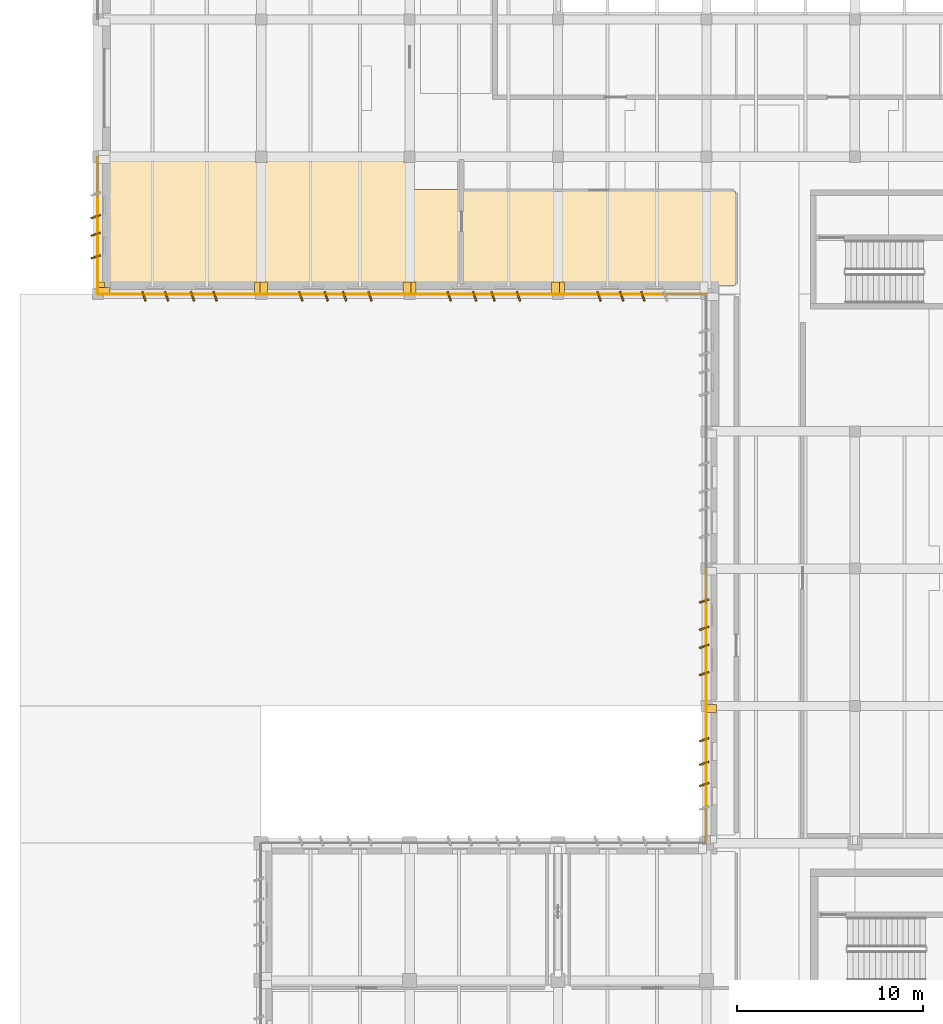
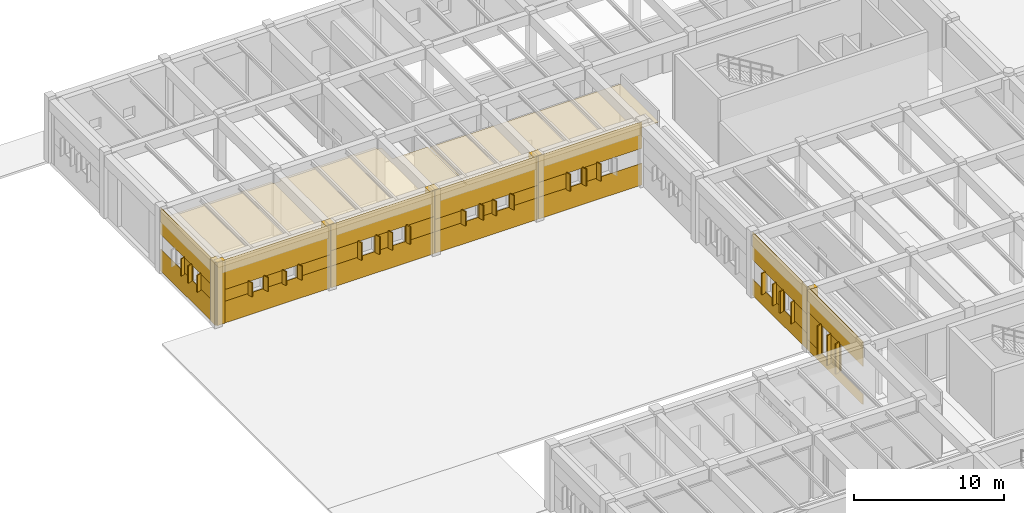
# One storey, part 42 of 56: 67 coverings.
"""IFC4 building model written with IfcOpenShell, lengths in metres."""

from ifc_helpers import new_model, si_unit, direction, frame, frame_2d, origin, origin_2d, place, context, subcontext, project, spatial, polyline, rectangle, outline, extrude, material, layer, layer_set, type_object, element, save


model = new_model("IFC4")

# Units and contexts
model_context = context("Model", 3, precision=1e-05, world=origin(), true_north=direction((0.0, 1.0)))
body_context = subcontext(model_context, "Body", "Model", "MODEL_VIEW")
ifc_project = project(units=[si_unit("LENGTHUNIT", "METRE"), si_unit("AREAUNIT", "SQUARE_METRE"), si_unit("VOLUMEUNIT", "CUBIC_METRE"), si_unit("PLANEANGLEUNIT", "RADIAN"), si_unit("MASSUNIT", "GRAM", prefix="KILO")], contexts=[model_context])

# Site, building, storey
site_placement = place(None, origin())
site = spatial("IfcSite", under=ifc_project, at=site_placement, CompositionType="ELEMENT")
building_placement = place(site_placement, origin())
building = spatial("IfcBuilding", under=site, at=building_placement, Name="Valkorina Park Police Headquarters", CompositionType="ELEMENT")
storey_placement = place(building_placement, origin())
storey = spatial("IfcBuildingStorey", under=building, at=storey_placement, Name="L01", CompositionType="ELEMENT", Elevation=0.0)

# Coverings
ifc_material_1 = material(Name="Acoustic mineral board")
ifc_layer_1 = layer(ifc_material_1, 0.02490234375)
ifc_layer_set_1 = layer_set([ifc_layer_1], Name="Acoustic mineral board")
covering_type_1 = type_object("IfcCoveringType", Name="COV-CEILING-ACOUST", PredefinedType="CEILING", material=ifc_layer_set_1)
covering_1_placement = place(storey_placement, frame((0.0, 0.0, 4.264892578125)))
element("IfcCovering", 1, at=covering_1_placement, inside=storey, type_object=covering_type_1, Name="Custody Holding Cell Block A Acoustic Suspended Ceiling", PredefinedType="CEILING", context=body_context, shape_type="SweptSolid", body=[
    extrude(outline(polyline([(19.48779296875, 94.439697265625), (19.47998046875, 94.43994140625), (16.840087890625, 94.43994140625), (16.840087890625, 95.860107421875), (16.839599609375, 95.867919921875), (16.83837890625, 95.87548828125), (16.836669921875, 95.88330078125), (16.833984375, 95.890625), (16.83056640625, 95.897705078125), (16.8291015625, 95.89990234375), (16.5, 95.89990234375), (16.5, 96.149169921875), (16.497802734375, 96.150634765625), (16.490478515625, 96.15380859375), (16.483154296875, 96.156494140625), (16.4755859375, 96.158447265625), (16.4677734375, 96.15966796875), (16.4599609375, 96.159912109375), (9.139892578125, 96.159912109375), (9.132080078125, 96.15966796875), (9.12451171875, 96.158447265625), (9.11669921875, 96.156494140625), (9.109375, 96.15380859375), (9.102294921875, 96.150634765625), (9.10009765625, 96.149169921875), (9.10009765625, 95.89990234375), (8.5, 95.89990234375), (8.5, 96.149169921875), (8.497802734375, 96.150634765625), (8.490478515625, 96.15380859375), (8.483154296875, 96.156494140625), (8.4755859375, 96.158447265625), (8.4677734375, 96.15966796875), (8.4599609375, 96.159912109375), (0.52001953125, 96.159912109375), (0.51220703125, 96.15966796875), (0.50439453125, 96.158447265625), (0.496826171875, 96.156494140625), (0.489501953125, 96.15380859375), (0.482421875, 96.150634765625), (0.4755859375, 96.146484375), (0.46923828125, 96.141845703125), (0.46337890625, 96.13671875), (0.458251953125, 96.130859375), (0.45361328125, 96.12451171875), (0.449462890625, 96.11767578125), (0.446044921875, 96.110595703125), (0.443359375, 96.103271484375), (0.44140625, 96.095703125), (0.4404296875, 96.087890625), (0.43994140625, 96.080078125), (0.43994140625, 89.320068359375), (0.4404296875, 89.312255859375), (0.44140625, 89.304443359375), (0.443359375, 89.296875), (0.446044921875, 89.289306640625), (0.449462890625, 89.2822265625), (0.45361328125, 89.275634765625), (0.458251953125, 89.269287109375), (0.46337890625, 89.263427734375), (0.46923828125, 89.25830078125), (0.4755859375, 89.25341796875), (0.482421875, 89.24951171875), (0.489501953125, 89.24609375), (0.496826171875, 89.243408203125), (0.50439453125, 89.241455078125), (0.51220703125, 89.240478515625), (0.52001953125, 89.239990234375), (19.47998046875, 89.239990234375), (19.48779296875, 89.240478515625), (19.49560546875, 89.241455078125), (19.503173828125, 89.243408203125), (19.510498046875, 89.24609375), (19.517578125, 89.24951171875), (19.5244140625, 89.25341796875), (19.53076171875, 89.25830078125), (19.53662109375, 89.263427734375), (19.541748046875, 89.269287109375), (19.54638671875, 89.275634765625), (19.550537109375, 89.2822265625), (19.553955078125, 89.289306640625), (19.556640625, 89.296875), (19.55859375, 89.304443359375), (19.5595703125, 89.312255859375), (19.56005859375, 89.320068359375), (19.56005859375, 94.360107421875), (19.5595703125, 94.367919921875), (19.55859375, 94.37548828125), (19.556640625, 94.38330078125), (19.553955078125, 94.390625), (19.550537109375, 94.397705078125), (19.54638671875, 94.404296875), (19.541748046875, 94.410888671875), (19.53662109375, 94.41650390625), (19.53076171875, 94.421875), (19.5244140625, 94.426513671875), (19.517578125, 94.4306640625), (19.510498046875, 94.433837890625), (19.503173828125, 94.4365234375), (19.49560546875, 94.4384765625), (19.48779296875, 94.439697265625)])), origin(), (0.0, 0.0, 1.0), 0.025146484375),
])
covering_2_placement = place(storey_placement, frame((0.0, 0.0, 4.264892578125)))
element("IfcCovering", 2, at=covering_2_placement, inside=storey, type_object=covering_type_1, Name="Solicitor Consultation Rooms Acoustic Suspended Ceiling", PredefinedType="CEILING", context=body_context, shape_type="SweptSolid", body=[
    extrude(outline(polyline([(34.3583984375, 89.304443359375), (34.359619140625, 89.312255859375), (34.360107421875, 89.320068359375), (34.360107421875, 94.280029296875), (34.359619140625, 94.287841796875), (34.3583984375, 94.295654296875), (34.356689453125, 94.30322265625), (34.35400390625, 94.310546875), (34.3505859375, 94.317626953125), (34.346435546875, 94.324462890625), (34.341796875, 94.330810546875), (34.336669921875, 94.336669921875), (34.330810546875, 94.341796875), (34.324462890625, 94.346435546875), (34.317626953125, 94.3505859375), (34.310546875, 94.35400390625), (34.30322265625, 94.356689453125), (34.295654296875, 94.3583984375), (34.287841796875, 94.359619140625), (34.280029296875, 94.360107421875), (19.719970703125, 94.360107421875), (19.712158203125, 94.359619140625), (19.704345703125, 94.3583984375), (19.69677734375, 94.356689453125), (19.689453125, 94.35400390625), (19.682373046875, 94.3505859375), (19.675537109375, 94.346435546875), (19.669189453125, 94.341796875), (19.663330078125, 94.336669921875), (19.658203125, 94.330810546875), (19.653564453125, 94.324462890625), (19.6494140625, 94.317626953125), (19.64599609375, 94.310546875), (19.643310546875, 94.30322265625), (19.6416015625, 94.295654296875), (19.640380859375, 94.287841796875), (19.639892578125, 94.280029296875), (19.639892578125, 89.320068359375), (19.640380859375, 89.312255859375), (19.6416015625, 89.304443359375), (19.643310546875, 89.296875), (19.64599609375, 89.289306640625), (19.6494140625, 89.2822265625), (19.653564453125, 89.275634765625), (19.658203125, 89.269287109375), (19.663330078125, 89.263427734375), (19.669189453125, 89.25830078125), (19.675537109375, 89.25341796875), (19.682373046875, 89.24951171875), (19.689453125, 89.24609375), (19.69677734375, 89.243408203125), (19.704345703125, 89.241455078125), (19.712158203125, 89.240478515625), (19.719970703125, 89.239990234375), (34.280029296875, 89.239990234375), (34.287841796875, 89.240478515625), (34.295654296875, 89.241455078125), (34.30322265625, 89.243408203125), (34.310546875, 89.24609375), (34.317626953125, 89.24951171875), (34.324462890625, 89.25341796875), (34.330810546875, 89.25830078125), (34.336669921875, 89.263427734375), (34.341796875, 89.269287109375), (34.346435546875, 89.275634765625), (34.3505859375, 89.2822265625), (34.35400390625, 89.289306640625), (34.356689453125, 89.296875), (34.3583984375, 89.304443359375)])), origin(), (0.0, 0.0, 1.0), 0.025146484375),
])
ifc_material_2 = material(Name="Precast concrete C40/50", Category="concrete")
ifc_layer_2 = layer(ifc_material_2, 0.044921875)
ifc_layer_set_2 = layer_set([ifc_layer_2], Name="Precast concrete C40/50")
covering_type_2 = type_object("IfcCoveringType", Name="COV-CLAD-DOLOMITE", PredefinedType="CLADDING", material=ifc_layer_set_2)
covering_3_placement = place(storey_placement, frame((33.090087890625, 66.4599609375, 0.0), z_axis=(0.0, 0.0, 1.0), x_axis=(0.0, 1.0, 0.0)))
element("IfcCovering", 3, at=covering_3_placement, inside=storey, type_object=covering_type_2, Name="L01 Exterior Joint Closure Pilaster B 0121", PredefinedType="CLADDING", context=body_context, shape_type="SweptSolid", body=[
    extrude(rectangle(XDim=0.419921875, YDim=0.52197265625, at=origin_2d()), origin(), (0.0, 0.0, 1.0), 5.139892578125),
])
for number, where, z_axis, x_axis, name in (
    (4, (32.679931640625, 62.365478515625, 0.780029296875), (0.0, 0.0, 1.0), (-0.948323655206, -0.317304656405, 0.0), "Slanted 18.5-deg Precast Window Slot Fin 0123"),
    (5, (32.679931640625, 63.509521484375, 0.780029296875), (0.0, 0.0, 1.0), (-0.948323655206, -0.317304656405, 0.0), "Slanted 18.5-deg Precast Window Slot Fin 0124"),
    (6, (32.679931640625, 64.779296875, 0.780029296875), (0.0, 0.0, 1.0), (-0.948323655206, -0.317304656405, 0.0), "Slanted 18.5-deg Precast Window Slot Fin 0125"),
):
    element("IfcCovering", number, at=place(storey_placement, frame(where, z_axis=z_axis, x_axis=x_axis)), inside=storey, type_object=covering_type_2, Name=name, PredefinedType="CLADDING", context=body_context, shape_type="SweptSolid", body=[
        extrude(rectangle(XDim=0.5400390625, YDim=0.090087890625, at=origin_2d()), origin(), (0.0, 0.0, 1.0), 2.43994140625),
    ])
covering_4_placement = place(storey_placement, frame((32.784912109375, 59.219970703125, 0.0), z_axis=(0.0, 0.0, 1.0), x_axis=(0.0, 1.0, 0.0)))
element("IfcCovering", 7, at=covering_4_placement, inside=storey, type_object=covering_type_2, Name="L01 Calm Concrete Base Sill Spandrel 0126", PredefinedType="CLADDING", context=body_context, shape_type="SweptSolid", body=[
    extrude(rectangle(XDim=7.360107421875, YDim=0.044921875, at=frame_2d((3.68017578125, 0.0))), origin(), (0.0, 0.0, 1.0), 0.8701171875),
])
covering_5_placement = place(storey_placement, frame((32.784912109375, 59.219970703125, 3.1298828125), z_axis=(0.0, 0.0, 1.0), x_axis=(0.0, 1.0, 0.0)))
element("IfcCovering", 8, at=covering_5_placement, inside=storey, type_object=covering_type_2, Name="L01 Calm Concrete Base Lintel Spandrel 0127", PredefinedType="CLADDING", context=body_context, shape_type="SweptSolid", body=[
    extrude(rectangle(XDim=7.360107421875, YDim=0.044921875, at=frame_2d((3.68017578125, 0.0))), origin(), (0.0, 0.0, 1.0), 2.010009765625),
])
covering_6_placement = place(storey_placement, frame((32.784912109375, 62.255615234375, 0.8701171875), z_axis=(0.0, 0.0, 1.0), x_axis=(0.0, 1.0, 0.0)))
element("IfcCovering", 9, at=covering_6_placement, inside=storey, type_object=covering_type_2, Name="L01 Calm Concrete Base Slot Pier 0129", PredefinedType="CLADDING", context=body_context, shape_type="SweptSolid", body=[
    extrude(rectangle(XDim=1.36376953125, YDim=0.044921875, at=frame_2d((0.681884765625, 0.0))), origin(), (0.0, 0.0, 1.0), 2.259765625),
])
covering_7_placement = place(storey_placement, frame((32.784912109375, 64.66943359375, 0.8701171875), z_axis=(0.0, 0.0, 1.0), x_axis=(0.0, 1.0, 0.0)))
element("IfcCovering", 10, at=covering_7_placement, inside=storey, type_object=covering_type_2, Name="L01 Calm Concrete Base Slot Pier 0130", PredefinedType="CLADDING", context=body_context, shape_type="SweptSolid", body=[
    extrude(rectangle(XDim=1.91064453125, YDim=0.044921875, at=frame_2d((0.955322265625, 0.0))), origin(), (0.0, 0.0, 1.0), 2.259765625),
])
for number, where, z_axis, x_axis, name in (
    (11, (32.679931640625, 68.344482421875, 1.22998046875), (0.0, 0.0, 1.0), (-0.948323655206, -0.317304656405, 0.0), "Slanted 18.5-deg Precast Window Slot Fin 0132"),
    (12, (32.679931640625, 69.814697265625, 1.22998046875), (0.0, 0.0, 1.0), (-0.948323655206, -0.317304656405, 0.0), "Slanted 18.5-deg Precast Window Slot Fin 0133"),
    (13, (32.679931640625, 70.785400390625, 1.22998046875), (0.0, 0.0, 1.0), (-0.948323655206, -0.317304656405, 0.0), "Slanted 18.5-deg Precast Window Slot Fin 0134"),
    (14, (32.679931640625, 72.25537109375, 1.22998046875), (0.0, 0.0, 1.0), (-0.948323655206, -0.317304656405, 0.0), "Slanted 18.5-deg Precast Window Slot Fin 0135"),
):
    element("IfcCovering", number, at=place(storey_placement, frame(where, z_axis=z_axis, x_axis=x_axis)), inside=storey, type_object=covering_type_2, Name=name, PredefinedType="CLADDING", context=body_context, shape_type="SweptSolid", body=[
        extrude(rectangle(XDim=0.5400390625, YDim=0.090087890625, at=origin_2d()), origin(), (0.0, 0.0, 1.0), 1.739990234375),
    ])
covering_8_placement = place(storey_placement, frame((32.784912109375, 66.6201171875, 0.0), z_axis=(0.0, 0.0, 1.0), x_axis=(0.0, 1.0, 0.0)))
element("IfcCovering", 15, at=covering_8_placement, inside=storey, type_object=covering_type_2, Name="L01 Calm Concrete Base Sill Spandrel 0136", PredefinedType="CLADDING", context=body_context, shape_type="SweptSolid", body=[
    extrude(rectangle(XDim=7.35986328125, YDim=0.044921875, at=frame_2d((3.679931640625, 0.0))), origin(), (0.0, 0.0, 1.0), 1.320068359375),
])
covering_9_placement = place(storey_placement, frame((32.784912109375, 66.6201171875, 2.8798828125), z_axis=(0.0, 0.0, 1.0), x_axis=(0.0, 1.0, 0.0)))
element("IfcCovering", 16, at=covering_9_placement, inside=storey, type_object=covering_type_2, Name="L01 Calm Concrete Base Lintel Spandrel 0137", PredefinedType="CLADDING", context=body_context, shape_type="SweptSolid", body=[
    extrude(rectangle(XDim=7.35986328125, YDim=0.044921875, at=frame_2d((3.679931640625, 0.0))), origin(), (0.0, 0.0, 1.0), 2.260009765625),
])
covering_10_placement = place(storey_placement, frame((32.784912109375, 66.6201171875, 1.320068359375), z_axis=(0.0, 0.0, 1.0), x_axis=(0.0, 1.0, 0.0)))
element("IfcCovering", 17, at=covering_10_placement, inside=storey, type_object=covering_type_2, Name="L01 Calm Concrete Base Slot Pier 0138", PredefinedType="CLADDING", context=body_context, shape_type="SweptSolid", body=[
    extrude(rectangle(XDim=1.83447265625, YDim=0.044921875, at=frame_2d((0.917236328125, 0.0))), origin(), (0.0, 0.0, 1.0), 1.559814453125),
])
covering_11_placement = place(storey_placement, frame((32.784912109375, 69.70458984375, 1.320068359375), z_axis=(0.0, 0.0, 1.0), x_axis=(0.0, 1.0, 0.0)))
element("IfcCovering", 18, at=covering_11_placement, inside=storey, type_object=covering_type_2, Name="L01 Calm Concrete Base Slot Pier 0139", PredefinedType="CLADDING", context=body_context, shape_type="SweptSolid", body=[
    extrude(rectangle(XDim=1.19091796875, YDim=0.044921875, at=frame_2d((0.595458984375, 0.0))), origin(), (0.0, 0.0, 1.0), 1.559814453125),
])
covering_12_placement = place(storey_placement, frame((24.93994140625, 89.139892578125, 0.0), z_axis=(0.0, 0.0, 1.0), x_axis=(1.0, 0.0, 0.0)))
element("IfcCovering", 19, at=covering_12_placement, inside=storey, type_object=covering_type_2, Name="L01 Exterior Joint Closure Pilaster B 0162", PredefinedType="CLADDING", context=body_context, shape_type="SweptSolid", body=[
    extrude(rectangle(XDim=0.419921875, YDim=0.612060546875, at=origin_2d()), origin(), (0.0, 0.0, 1.0), 5.139892578125),
])
for number, where, z_axis, x_axis, name in (
    (20, (29.370849609375, 88.679931640625, 1.68017578125), (0.0, 0.0, 1.0), (0.317304656405, -0.948323655206, 0.0), "Slanted 18.5-deg Precast Window Slot Fin 0164"),
    (21, (28.229248046875, 88.679931640625, 1.68017578125), (0.0, 0.0, 1.0), (0.317304656405, -0.948323655206, 0.0), "Slanted 18.5-deg Precast Window Slot Fin 0165"),
    (22, (27.00927734375, 88.679931640625, 1.68017578125), (0.0, 0.0, 1.0), (0.317304656405, -0.948323655206, 0.0), "Slanted 18.5-deg Precast Window Slot Fin 0166"),
):
    element("IfcCovering", number, at=place(storey_placement, frame(where, z_axis=z_axis, x_axis=x_axis)), inside=storey, type_object=covering_type_2, Name=name, PredefinedType="CLADDING", context=body_context, shape_type="SweptSolid", body=[
        extrude(rectangle(XDim=0.5400390625, YDim=0.090087890625, at=origin_2d()), origin(), (0.0, 0.0, 1.0), 1.389892578125),
    ])
covering_13_placement = place(storey_placement, frame((32.780029296875, 88.784912109375, 0.0), z_axis=(0.0, 0.0, 1.0), x_axis=(-1.0, 0.0, 0.0)))
element("IfcCovering", 23, at=covering_13_placement, inside=storey, type_object=covering_type_2, Name="L01 Calm Concrete Base Sill Spandrel 0167", PredefinedType="CLADDING", context=body_context, shape_type="SweptSolid", body=[
    extrude(rectangle(XDim=7.9599609375, YDim=0.044921875, at=frame_2d((3.97998046875, 0.0))), origin(), (0.0, 0.0, 1.0), 1.77001953125),
])
covering_14_placement = place(storey_placement, frame((32.780029296875, 88.784912109375, 2.97998046875), z_axis=(0.0, 0.0, 1.0), x_axis=(-1.0, 0.0, 0.0)))
element("IfcCovering", 24, at=covering_14_placement, inside=storey, type_object=covering_type_2, Name="L01 Calm Concrete Base Lintel Spandrel 0168", PredefinedType="CLADDING", context=body_context, shape_type="SweptSolid", body=[
    extrude(rectangle(XDim=7.9599609375, YDim=0.044921875, at=frame_2d((3.97998046875, 0.0))), origin(), (0.0, 0.0, 1.0), 2.159912109375),
])
covering_15_placement = place(storey_placement, frame((29.480712890625, 88.784912109375, 1.77001953125), z_axis=(0.0, 0.0, 1.0), x_axis=(-1.0, 0.0, 0.0)))
element("IfcCovering", 25, at=covering_15_placement, inside=storey, type_object=covering_type_2, Name="L01 Calm Concrete Base Slot Pier 0170", PredefinedType="CLADDING", context=body_context, shape_type="SweptSolid", body=[
    extrude(rectangle(XDim=1.361572265625, YDim=0.044921875, at=frame_2d((0.6806640625, 0.0))), origin(), (0.0, 0.0, 1.0), 1.2099609375),
])
covering_16_placement = place(storey_placement, frame((27.119140625, 88.784912109375, 1.77001953125), z_axis=(0.0, 0.0, 1.0), x_axis=(-1.0, 0.0, 0.0)))
element("IfcCovering", 26, at=covering_16_placement, inside=storey, type_object=covering_type_2, Name="L01 Calm Concrete Base Slot Pier 0171", PredefinedType="CLADDING", context=body_context, shape_type="SweptSolid", body=[
    extrude(rectangle(XDim=2.299072265625, YDim=0.044921875, at=frame_2d((1.1494140625, 0.0))), origin(), (0.0, 0.0, 1.0), 1.2099609375),
])
for number, where, z_axis, x_axis, name in (
    (27, (24.659912109375, 89.139892578125, 0.0), (0.0, 0.0, 1.0), (1.0, 0.0, 0.0), "L01 Exterior Joint Closure Pilaster A 0172"),
    (28, (16.93994140625, 89.139892578125, 0.0), (0.0, 0.0, 1.0), (1.0, 0.0, 0.0), "L01 Exterior Joint Closure Pilaster B 0173"),
):
    element("IfcCovering", number, at=place(storey_placement, frame(where, z_axis=z_axis, x_axis=x_axis)), inside=storey, type_object=covering_type_2, Name=name, PredefinedType="CLADDING", context=body_context, shape_type="SweptSolid", body=[
        extrude(rectangle(XDim=0.419921875, YDim=0.612060546875, at=origin_2d()), origin(), (0.0, 0.0, 1.0), 5.139892578125),
    ])
for number, where, z_axis, x_axis, name in (
    (29, (22.665771484375, 88.679931640625, 1.679931640625), (0.0, 0.0, 1.0), (0.317304656405, -0.948323655206, 0.0), "Slanted 18.5-deg Precast Window Slot Fin 0174"),
    (30, (21.2958984375, 88.679931640625, 1.679931640625), (0.0, 0.0, 1.0), (0.317304656405, -0.948323655206, 0.0), "Slanted 18.5-deg Precast Window Slot Fin 0175"),
    (31, (20.30419921875, 88.679931640625, 1.679931640625), (0.0, 0.0, 1.0), (0.317304656405, -0.948323655206, 0.0), "Slanted 18.5-deg Precast Window Slot Fin 0176"),
    (32, (18.93408203125, 88.679931640625, 1.679931640625), (0.0, 0.0, 1.0), (0.317304656405, -0.948323655206, 0.0), "Slanted 18.5-deg Precast Window Slot Fin 0177"),
):
    element("IfcCovering", number, at=place(storey_placement, frame(where, z_axis=z_axis, x_axis=x_axis)), inside=storey, type_object=covering_type_2, Name=name, PredefinedType="CLADDING", context=body_context, shape_type="SweptSolid", body=[
        extrude(rectangle(XDim=0.5400390625, YDim=0.090087890625, at=origin_2d()), origin(), (0.0, 0.0, 1.0), 1.18994140625),
    ])
covering_17_placement = place(storey_placement, frame((24.780029296875, 88.784912109375, 0.0), z_axis=(0.0, 0.0, 1.0), x_axis=(-1.0, 0.0, 0.0)))
element("IfcCovering", 33, at=covering_17_placement, inside=storey, type_object=covering_type_2, Name="L01 Calm Concrete Base Sill Spandrel 0178", PredefinedType="CLADDING", context=body_context, shape_type="SweptSolid", body=[
    extrude(rectangle(XDim=7.9599609375, YDim=0.044921875, at=frame_2d((3.97998046875, 0.0))), origin(), (0.0, 0.0, 1.0), 1.77001953125),
])
covering_18_placement = place(storey_placement, frame((24.780029296875, 88.784912109375, 2.780029296875), z_axis=(0.0, 0.0, 1.0), x_axis=(-1.0, 0.0, 0.0)))
element("IfcCovering", 34, at=covering_18_placement, inside=storey, type_object=covering_type_2, Name="L01 Calm Concrete Base Lintel Spandrel 0179", PredefinedType="CLADDING", context=body_context, shape_type="SweptSolid", body=[
    extrude(rectangle(XDim=7.9599609375, YDim=0.044921875, at=frame_2d((3.97998046875, 0.0))), origin(), (0.0, 0.0, 1.0), 2.35986328125),
])
covering_19_placement = place(storey_placement, frame((24.780029296875, 88.784912109375, 1.77001953125), z_axis=(0.0, 0.0, 1.0), x_axis=(-1.0, 0.0, 0.0)))
element("IfcCovering", 35, at=covering_19_placement, inside=storey, type_object=covering_type_2, Name="L01 Calm Concrete Base Slot Pier 0180", PredefinedType="CLADDING", context=body_context, shape_type="SweptSolid", body=[
    extrude(rectangle(XDim=2.22412109375, YDim=0.044921875, at=frame_2d((1.112060546875, 0.0))), origin(), (0.0, 0.0, 1.0), 1.010009765625),
])
covering_20_placement = place(storey_placement, frame((21.40576171875, 88.784912109375, 1.77001953125), z_axis=(0.0, 0.0, 1.0), x_axis=(-1.0, 0.0, 0.0)))
element("IfcCovering", 36, at=covering_20_placement, inside=storey, type_object=covering_type_2, Name="L01 Calm Concrete Base Slot Pier 0181", PredefinedType="CLADDING", context=body_context, shape_type="SweptSolid", body=[
    extrude(rectangle(XDim=1.211669921875, YDim=0.044921875, at=frame_2d((0.60595703125, 0.0))), origin(), (0.0, 0.0, 1.0), 1.010009765625),
])
covering_21_placement = place(storey_placement, frame((19.044189453125, 88.784912109375, 1.77001953125), z_axis=(0.0, 0.0, 1.0), x_axis=(-1.0, 0.0, 0.0)))
element("IfcCovering", 37, at=covering_21_placement, inside=storey, type_object=covering_type_2, Name="L01 Calm Concrete Base Slot Pier 0182", PredefinedType="CLADDING", context=body_context, shape_type="SweptSolid", body=[
    extrude(rectangle(XDim=2.22412109375, YDim=0.044921875, at=frame_2d((1.112060546875, 0.0))), origin(), (0.0, 0.0, 1.0), 1.010009765625),
])
for number, where, z_axis, x_axis, name in (
    (38, (16.659912109375, 89.139892578125, 0.0), (0.0, 0.0, 1.0), (1.0, 0.0, 0.0), "L01 Exterior Joint Closure Pilaster A 0183"),
    (39, (8.93994140625, 89.139892578125, 0.0), (0.0, 0.0, 1.0), (1.0, 0.0, 0.0), "L01 Exterior Joint Closure Pilaster B 0184"),
):
    element("IfcCovering", number, at=place(storey_placement, frame(where, z_axis=z_axis, x_axis=x_axis)), inside=storey, type_object=covering_type_2, Name=name, PredefinedType="CLADDING", context=body_context, shape_type="SweptSolid", body=[
        extrude(rectangle(XDim=0.419921875, YDim=0.612060546875, at=origin_2d()), origin(), (0.0, 0.0, 1.0), 5.139892578125),
    ])
for number, where, z_axis, x_axis, name in (
    (40, (14.665771484375, 88.679931640625, 1.679931640625), (0.0, 0.0, 1.0), (0.317304656405, -0.948323655206, 0.0), "Slanted 18.5-deg Precast Window Slot Fin 0185"),
    (41, (13.2958984375, 88.679931640625, 1.679931640625), (0.0, 0.0, 1.0), (0.317304656405, -0.948323655206, 0.0), "Slanted 18.5-deg Precast Window Slot Fin 0186"),
    (42, (12.30419921875, 88.679931640625, 1.679931640625), (0.0, 0.0, 1.0), (0.317304656405, -0.948323655206, 0.0), "Slanted 18.5-deg Precast Window Slot Fin 0187"),
    (43, (10.93408203125, 88.679931640625, 1.679931640625), (0.0, 0.0, 1.0), (0.317304656405, -0.948323655206, 0.0), "Slanted 18.5-deg Precast Window Slot Fin 0188"),
):
    element("IfcCovering", number, at=place(storey_placement, frame(where, z_axis=z_axis, x_axis=x_axis)), inside=storey, type_object=covering_type_2, Name=name, PredefinedType="CLADDING", context=body_context, shape_type="SweptSolid", body=[
        extrude(rectangle(XDim=0.5400390625, YDim=0.090087890625, at=origin_2d()), origin(), (0.0, 0.0, 1.0), 1.43994140625),
    ])
covering_22_placement = place(storey_placement, frame((16.780029296875, 88.784912109375, 0.0), z_axis=(0.0, 0.0, 1.0), x_axis=(-1.0, 0.0, 0.0)))
element("IfcCovering", 44, at=covering_22_placement, inside=storey, type_object=covering_type_2, Name="L01 Calm Concrete Base Sill Spandrel 0189", PredefinedType="CLADDING", context=body_context, shape_type="SweptSolid", body=[
    extrude(rectangle(XDim=7.9599609375, YDim=0.044921875, at=frame_2d((3.97998046875, 0.0))), origin(), (0.0, 0.0, 1.0), 1.77001953125),
])
covering_23_placement = place(storey_placement, frame((16.780029296875, 88.784912109375, 3.030029296875), z_axis=(0.0, 0.0, 1.0), x_axis=(-1.0, 0.0, 0.0)))
element("IfcCovering", 45, at=covering_23_placement, inside=storey, type_object=covering_type_2, Name="L01 Calm Concrete Base Lintel Spandrel 0190", PredefinedType="CLADDING", context=body_context, shape_type="SweptSolid", body=[
    extrude(rectangle(XDim=7.9599609375, YDim=0.044921875, at=frame_2d((3.97998046875, 0.0))), origin(), (0.0, 0.0, 1.0), 2.10986328125),
])
covering_24_placement = place(storey_placement, frame((16.780029296875, 88.784912109375, 1.77001953125), z_axis=(0.0, 0.0, 1.0), x_axis=(-1.0, 0.0, 0.0)))
element("IfcCovering", 46, at=covering_24_placement, inside=storey, type_object=covering_type_2, Name="L01 Calm Concrete Base Slot Pier 0191", PredefinedType="CLADDING", context=body_context, shape_type="SweptSolid", body=[
    extrude(rectangle(XDim=2.22412109375, YDim=0.044921875, at=frame_2d((1.112060546875, 0.0))), origin(), (0.0, 0.0, 1.0), 1.260009765625),
])
covering_25_placement = place(storey_placement, frame((13.40576171875, 88.784912109375, 1.77001953125), z_axis=(0.0, 0.0, 1.0), x_axis=(-1.0, 0.0, 0.0)))
element("IfcCovering", 47, at=covering_25_placement, inside=storey, type_object=covering_type_2, Name="L01 Calm Concrete Base Slot Pier 0192", PredefinedType="CLADDING", context=body_context, shape_type="SweptSolid", body=[
    extrude(rectangle(XDim=1.211669921875, YDim=0.044921875, at=frame_2d((0.60595703125, 0.0))), origin(), (0.0, 0.0, 1.0), 1.260009765625),
])
covering_26_placement = place(storey_placement, frame((11.044189453125, 88.784912109375, 1.77001953125), z_axis=(0.0, 0.0, 1.0), x_axis=(-1.0, 0.0, 0.0)))
element("IfcCovering", 48, at=covering_26_placement, inside=storey, type_object=covering_type_2, Name="L01 Calm Concrete Base Slot Pier 0193", PredefinedType="CLADDING", context=body_context, shape_type="SweptSolid", body=[
    extrude(rectangle(XDim=2.22412109375, YDim=0.044921875, at=frame_2d((1.112060546875, 0.0))), origin(), (0.0, 0.0, 1.0), 1.260009765625),
])
for number, where, z_axis, x_axis, name in (
    (49, (8.659912109375, 89.139892578125, 0.0), (0.0, 0.0, 1.0), (1.0, 0.0, 0.0), "L01 Exterior Joint Closure Pilaster A 0194"),
    (50, (0.139892578125, 89.139892578125, 0.0), (0.0, 0.0, 1.0), (1.0, 0.0, 0.0), "L01 Exterior Joint Closure Pilaster B 0195"),
):
    element("IfcCovering", number, at=place(storey_placement, frame(where, z_axis=z_axis, x_axis=x_axis)), inside=storey, type_object=covering_type_2, Name=name, PredefinedType="CLADDING", context=body_context, shape_type="SweptSolid", body=[
        extrude(rectangle(XDim=0.419921875, YDim=0.612060546875, at=origin_2d()), origin(), (0.0, 0.0, 1.0), 5.139892578125),
    ])
for number, where, z_axis, x_axis, name in (
    (51, (6.31884765625, 88.679931640625, 1.68017578125), (0.0, 0.0, 1.0), (0.317304656405, -0.948323655206, 0.0), "Slanted 18.5-deg Precast Window Slot Fin 0196"),
    (52, (5.098876953125, 88.679931640625, 1.68017578125), (0.0, 0.0, 1.0), (0.317304656405, -0.948323655206, 0.0), "Slanted 18.5-deg Precast Window Slot Fin 0197"),
    (53, (3.701171875, 88.679931640625, 1.68017578125), (0.0, 0.0, 1.0), (0.317304656405, -0.948323655206, 0.0), "Slanted 18.5-deg Precast Window Slot Fin 0198"),
    (54, (2.481201171875, 88.679931640625, 1.68017578125), (0.0, 0.0, 1.0), (0.317304656405, -0.948323655206, 0.0), "Slanted 18.5-deg Precast Window Slot Fin 0199"),
):
    element("IfcCovering", number, at=place(storey_placement, frame(where, z_axis=z_axis, x_axis=x_axis)), inside=storey, type_object=covering_type_2, Name=name, PredefinedType="CLADDING", context=body_context, shape_type="SweptSolid", body=[
        extrude(rectangle(XDim=0.5400390625, YDim=0.090087890625, at=origin_2d()), origin(), (0.0, 0.0, 1.0), 1.139892578125),
    ])
covering_27_placement = place(storey_placement, frame((8.780029296875, 88.784912109375, 0.0), z_axis=(0.0, 0.0, 1.0), x_axis=(-1.0, 0.0, 0.0)))
element("IfcCovering", 55, at=covering_27_placement, inside=storey, type_object=covering_type_2, Name="L01 Calm Concrete Base Sill Spandrel 0200", PredefinedType="CLADDING", context=body_context, shape_type="SweptSolid", body=[
    extrude(rectangle(XDim=8.760009765625, YDim=0.044921875, at=frame_2d((4.3798828125, 0.0))), origin(), (0.0, 0.0, 1.0), 1.77001953125),
])
covering_28_placement = place(storey_placement, frame((8.780029296875, 88.784912109375, 2.72998046875), z_axis=(0.0, 0.0, 1.0), x_axis=(-1.0, 0.0, 0.0)))
element("IfcCovering", 56, at=covering_28_placement, inside=storey, type_object=covering_type_2, Name="L01 Calm Concrete Base Lintel Spandrel 0201", PredefinedType="CLADDING", context=body_context, shape_type="SweptSolid", body=[
    extrude(rectangle(XDim=8.760009765625, YDim=0.044921875, at=frame_2d((4.3798828125, 0.0))), origin(), (0.0, 0.0, 1.0), 2.409912109375),
])
covering_29_placement = place(storey_placement, frame((8.780029296875, 88.784912109375, 1.77001953125), z_axis=(0.0, 0.0, 1.0), x_axis=(-1.0, 0.0, 0.0)))
element("IfcCovering", 57, at=covering_29_placement, inside=storey, type_object=covering_type_2, Name="L01 Calm Concrete Base Slot Pier 0202", PredefinedType="CLADDING", context=body_context, shape_type="SweptSolid", body=[
    extrude(rectangle(XDim=2.5712890625, YDim=0.044921875, at=frame_2d((1.28564453125, 0.0))), origin(), (0.0, 0.0, 1.0), 0.9599609375),
])
covering_30_placement = place(storey_placement, frame((5.208740234375, 88.784912109375, 1.77001953125), z_axis=(0.0, 0.0, 1.0), x_axis=(-1.0, 0.0, 0.0)))
element("IfcCovering", 58, at=covering_30_placement, inside=storey, type_object=covering_type_2, Name="L01 Calm Concrete Base Slot Pier 0203", PredefinedType="CLADDING", context=body_context, shape_type="SweptSolid", body=[
    extrude(rectangle(XDim=1.617431640625, YDim=0.044921875, at=frame_2d((0.80859375, 0.0))), origin(), (0.0, 0.0, 1.0), 0.9599609375),
])
covering_31_placement = place(storey_placement, frame((2.59130859375, 88.784912109375, 1.77001953125), z_axis=(0.0, 0.0, 1.0), x_axis=(-1.0, 0.0, 0.0)))
element("IfcCovering", 59, at=covering_31_placement, inside=storey, type_object=covering_type_2, Name="L01 Calm Concrete Base Slot Pier 0204", PredefinedType="CLADDING", context=body_context, shape_type="SweptSolid", body=[
    extrude(rectangle(XDim=2.5712890625, YDim=0.044921875, at=frame_2d((1.28564453125, 0.0))), origin(), (0.0, 0.0, 1.0), 0.9599609375),
])
covering_32_placement = place(storey_placement, frame((0.340087890625, 88.93994140625, 0.0), z_axis=(0.0, 0.0, 1.0), x_axis=(0.0, 1.0, 0.0)))
element("IfcCovering", 60, at=covering_32_placement, inside=storey, type_object=covering_type_2, Name="L01 Exterior Joint Closure Pilaster A 0205", PredefinedType="CLADDING", context=body_context, shape_type="SweptSolid", body=[
    extrude(rectangle(XDim=0.419921875, YDim=0.612060546875, at=origin_2d()), origin(), (0.0, 0.0, 1.0), 5.139892578125),
])
for number, where, z_axis, x_axis, name in (
    (61, (-0.1201171875, 90.80517578125, 1.68017578125), (0.0, 0.0, 1.0), (-0.948323655206, -0.317304656405, 0.0), "Slanted 18.5-deg Precast Window Slot Fin 0207"),
    (62, (-0.1201171875, 92.025146484375, 1.68017578125), (0.0, 0.0, 1.0), (-0.948323655206, -0.317304656405, 0.0), "Slanted 18.5-deg Precast Window Slot Fin 0208"),
    (63, (-0.1201171875, 92.974853515625, 1.68017578125), (0.0, 0.0, 1.0), (-0.948323655206, -0.317304656405, 0.0), "Slanted 18.5-deg Precast Window Slot Fin 0209"),
):
    element("IfcCovering", number, at=place(storey_placement, frame(where, z_axis=z_axis, x_axis=x_axis)), inside=storey, type_object=covering_type_2, Name=name, PredefinedType="CLADDING", context=body_context, shape_type="SweptSolid", body=[
        extrude(rectangle(XDim=0.5400390625, YDim=0.090087890625, at=origin_2d()), origin(), (0.0, 0.0, 1.0), 1.389892578125),
    ])
covering_33_placement = place(storey_placement, frame((-0.014892578125, 88.820068359375, 0.0), z_axis=(0.0, 0.0, 1.0), x_axis=(0.0, 1.0, 0.0)))
element("IfcCovering", 64, at=covering_33_placement, inside=storey, type_object=covering_type_2, Name="L01 Calm Concrete Base Sill Spandrel 0211", PredefinedType="CLADDING", context=body_context, shape_type="SweptSolid", body=[
    extrude(rectangle(XDim=7.35986328125, YDim=0.044921875, at=frame_2d((3.679931640625, 0.0))), origin(), (0.0, 0.0, 1.0), 1.77001953125),
])
covering_34_placement = place(storey_placement, frame((-0.014892578125, 88.820068359375, 2.97998046875), z_axis=(0.0, 0.0, 1.0), x_axis=(0.0, 1.0, 0.0)))
element("IfcCovering", 65, at=covering_34_placement, inside=storey, type_object=covering_type_2, Name="L01 Calm Concrete Base Lintel Spandrel 0212", PredefinedType="CLADDING", context=body_context, shape_type="SweptSolid", body=[
    extrude(rectangle(XDim=7.35986328125, YDim=0.044921875, at=frame_2d((3.679931640625, 0.0))), origin(), (0.0, 0.0, 1.0), 2.159912109375),
])
covering_35_placement = place(storey_placement, frame((-0.014892578125, 88.820068359375, 1.77001953125), z_axis=(0.0, 0.0, 1.0), x_axis=(0.0, 1.0, 0.0)))
element("IfcCovering", 66, at=covering_35_placement, inside=storey, type_object=covering_type_2, Name="L01 Calm Concrete Base Slot Pier 0213", PredefinedType="CLADDING", context=body_context, shape_type="SweptSolid", body=[
    extrude(rectangle(XDim=2.09521484375, YDim=0.044921875, at=frame_2d((1.047607421875, 0.0))), origin(), (0.0, 0.0, 1.0), 1.2099609375),
])
covering_36_placement = place(storey_placement, frame((-0.014892578125, 91.915283203125, 1.77001953125), z_axis=(0.0, 0.0, 1.0), x_axis=(0.0, 1.0, 0.0)))
element("IfcCovering", 67, at=covering_36_placement, inside=storey, type_object=covering_type_2, Name="L01 Calm Concrete Base Slot Pier 0214", PredefinedType="CLADDING", context=body_context, shape_type="SweptSolid", body=[
    extrude(rectangle(XDim=1.16943359375, YDim=0.044921875, at=frame_2d((0.584716796875, 0.0))), origin(), (0.0, 0.0, 1.0), 1.2099609375),
])

save(model, "model.ifc")
